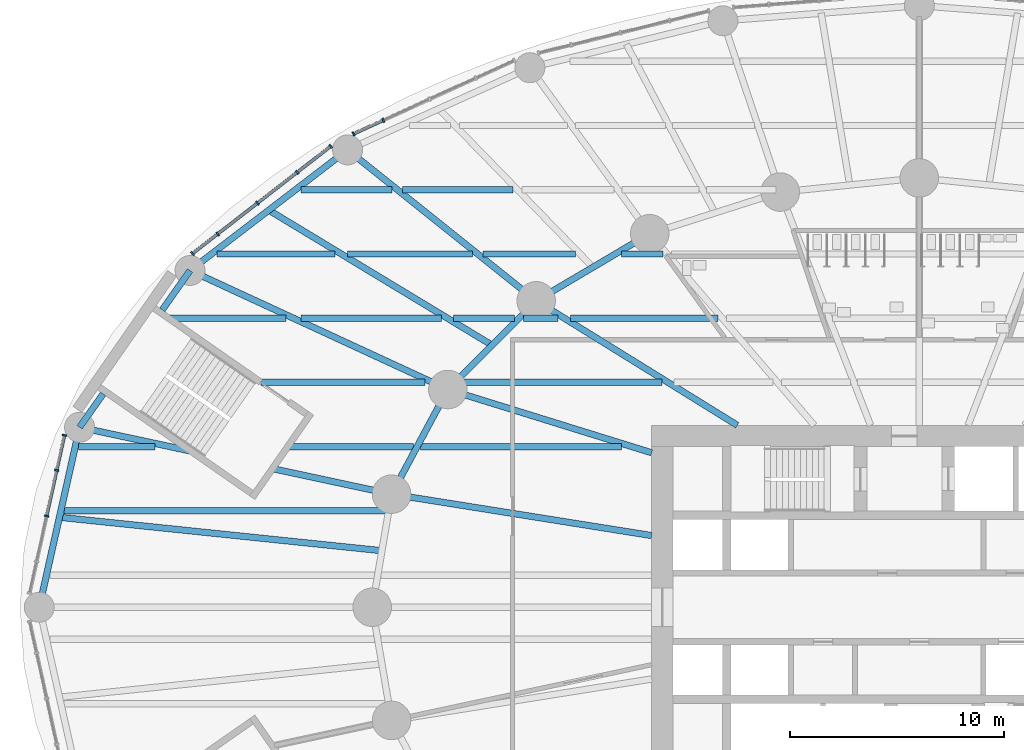
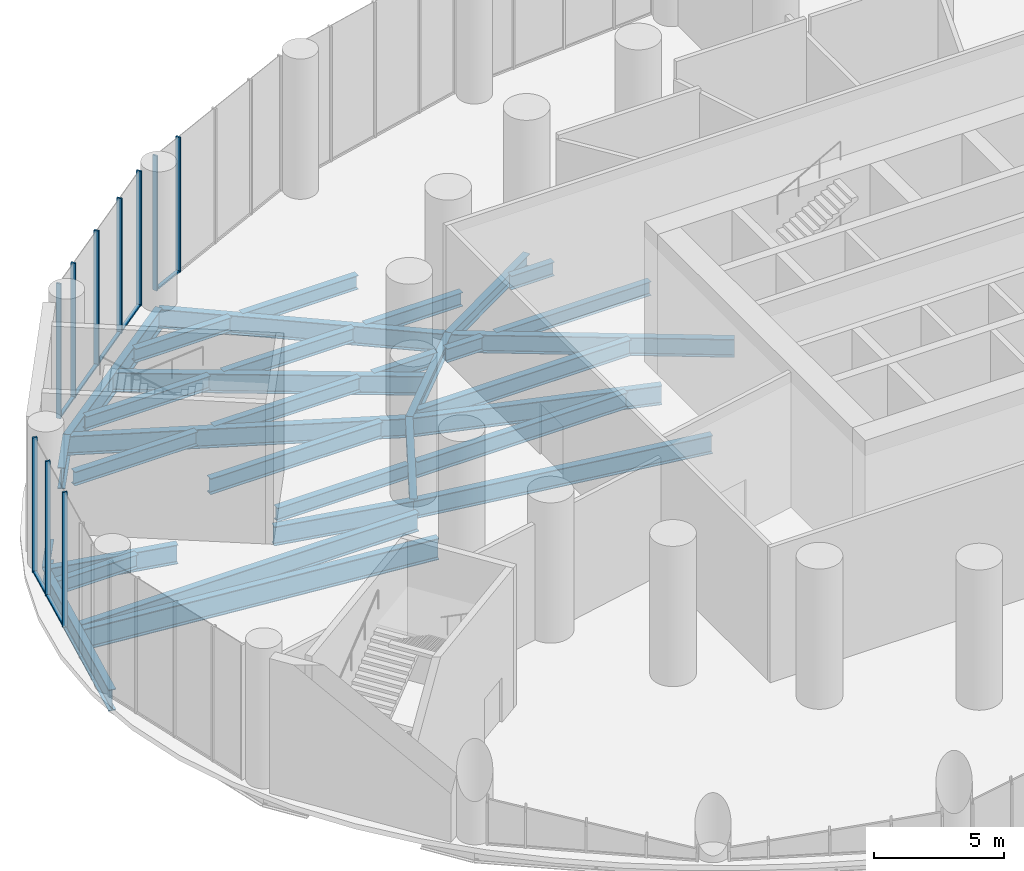
# One storey, part 7 of 22: 33 beams, 17 members, 3 elements without a shape of their own.
"""IFC4 building model written with IfcOpenShell, lengths in metres."""

import ifcopenshell
import ifcopenshell.guid

model = None  # the IFC model being written
_history = None  # IfcOwnerHistory: only IFC2X3 demands one
_inside = {}  # id of a spatial element -> (the spatial element, [elements in it])
_under = {}  # id of a project, library or spatial element -> (it, [spatial elements below it])
_declared = {}  # id of a project -> (the project, [libraries it declares])
_typed = {}  # id of a type object -> (the type object, [elements of that type])
_made_of = {}  # id of a material, layer set ... -> (it, [elements and type objects made of it])


def new_model(schema):
    """Start an empty IFC model of exactly this schema.

    Asked for "IFC4X3", IfcOpenShell would pick the latest addendum, in which some entities
    have other attributes; the version numbers below select the first issue.
    IFC2X3 requires an IfcOwnerHistory on every rooted entity: one is made here for all.
    """
    global model, _history
    if schema == "IFC4X3":
        model = ifcopenshell.file(schema_version=(4, 3, 0, 0))
    else:
        model = ifcopenshell.file(schema=schema)
    _inside.clear()
    _under.clear()
    _declared.clear()
    _typed.clear()
    _made_of.clear()
    _history = None
    if model.schema == "IFC2X3":
        org = make("IfcOrganization", Name="unknown")
        user = make(
            "IfcPersonAndOrganization",
            ThePerson=make("IfcPerson", FamilyName="unknown"),
            TheOrganization=org,
        )
        app = make(
            "IfcApplication",
            ApplicationDeveloper=org,
            Version="unknown",
            ApplicationFullName="unknown",
            ApplicationIdentifier="unknown",
        )
        _history = make(
            "IfcOwnerHistory",
            OwningUser=user,
            OwningApplication=app,
            ChangeAction="ADDED",
            CreationDate=0,
        )
    return model


def make(cls, **values):
    """One entity of the class cls with the attributes given. An attribute that is None is left unset."""
    return model.create_entity(
        cls, **{name: value for name, value in values.items() if value is not None}
    )


def rooted(cls, **values):
    """An entity with a GlobalId (a new one), such as an element, a storey or a relation."""
    return make(cls, GlobalId=ifcopenshell.guid.new(), OwnerHistory=_history, **values)


def si_unit(unit_type, name, prefix=None):
    """IfcSIUnit, for example si_unit("LENGTHUNIT", "METRE", prefix="MILLI")."""
    return make("IfcSIUnit", UnitType=unit_type, Prefix=prefix, Name=name)


def assignment(units):
    """IfcUnitAssignment: the units of a project."""
    return None if units is None else make("IfcUnitAssignment", Units=units)


def point(xyz):
    """IfcCartesianPoint."""
    return None if xyz is None else make("IfcCartesianPoint", Coordinates=xyz)


def direction(xyz):
    """IfcDirection."""
    return None if xyz is None else make("IfcDirection", DirectionRatios=xyz)


def frame(location, z_axis=None, x_axis=None):
    """IfcAxis2Placement3D, a coordinate frame: its origin and axes. An axis left out is left unset."""
    return make(
        "IfcAxis2Placement3D",
        Location=point(location),
        Axis=direction(z_axis),
        RefDirection=direction(x_axis),
    )


def frame_2d(location, x_axis=None):
    """IfcAxis2Placement2D, a coordinate frame in the plane: its origin and x axis."""
    return make(
        "IfcAxis2Placement2D", Location=point(location), RefDirection=direction(x_axis)
    )


def origin():
    """The frame at (0, 0, 0) with its axes left unset."""
    return frame((0.0, 0.0, 0.0))


def origin_2d():
    """The frame at (0, 0) in the plane with its x axis left unset."""
    return frame_2d((0.0, 0.0))


def place(relative_to, where):
    """IfcLocalPlacement: puts the frame where relative to a parent placement (None: the world)."""
    return make(
        "IfcLocalPlacement", PlacementRelTo=relative_to, RelativePlacement=where
    )


def context(
    kind, dimensions, precision=None, world=None, true_north=None, identifier=None
):
    """IfcGeometricRepresentationContext, for example the 3D "Model" context."""
    return make(
        "IfcGeometricRepresentationContext",
        ContextIdentifier=identifier,
        ContextType=kind,
        CoordinateSpaceDimension=dimensions,
        Precision=precision,
        WorldCoordinateSystem=world,
        TrueNorth=true_north,
    )


def subcontext(parent, identifier, kind, view, scale=None):
    """IfcGeometricRepresentationSubContext, for example "Body" below "Model"."""
    return make(
        "IfcGeometricRepresentationSubContext",
        ContextIdentifier=identifier,
        ContextType=kind,
        ParentContext=parent,
        TargetScale=scale,
        TargetView=view,
    )


def project(units=None, contexts=None):
    """IfcProject with its units and contexts."""
    return rooted(
        "IfcProject",
        Name="project",
        RepresentationContexts=contexts,
        UnitsInContext=assignment(units),
    )


def spatial(cls, under=None, at=None, **own):
    """A site, building, storey or space (cls), placed at a placement, below another one or the project."""
    s = rooted(cls, ObjectPlacement=at, **own)
    if under is not None:
        _under.setdefault(under.id(), (under, []))[1].append(s)
    return s


def profile(cls, at=None, kind="AREA", **sizes):
    """A parametric profile (cls). Its sizes go by their IFC names, for example OverallWidth=200.0."""
    return make(cls, ProfileType=kind, Position=at, **sizes)


def rectangle(**sizes):
    """IfcRectangleProfileDef."""
    return profile("IfcRectangleProfileDef", **sizes)


def i_section(**sizes):
    """IfcIShapeProfileDef."""
    return profile("IfcIShapeProfileDef", **sizes)


def extrude(swept, where, along, depth):
    """IfcExtrudedAreaSolid: the profile swept, set in the frame where, extruded along a direction by depth."""
    return make(
        "IfcExtrudedAreaSolid",
        SweptArea=swept,
        Position=where,
        ExtrudedDirection=direction(along),
        Depth=depth,
    )


def shape(context_of_items, identifier, shape_type, items):
    """IfcShapeRepresentation: the items that make up one representation, for example the "Body"."""
    return make(
        "IfcShapeRepresentation",
        ContextOfItems=context_of_items,
        RepresentationIdentifier=identifier,
        RepresentationType=shape_type,
        Items=items,
    )


def material(Name=None, Category=None):
    """IfcMaterial."""
    return make("IfcMaterial", Name=Name, Category=Category)


def material_profile(
    of_material, cross_section, Name=None, Category=None, Priority=None
):
    """IfcMaterialProfile: a cross section and its material."""
    return make(
        "IfcMaterialProfile",
        Name=Name,
        Material=of_material,
        Profile=cross_section,
        Priority=Priority,
        Category=Category,
    )


def profile_set(profiles, Name=None, composite=None):
    """IfcMaterialProfileSet."""
    return make(
        "IfcMaterialProfileSet",
        Name=Name,
        MaterialProfiles=profiles,
        CompositeProfile=composite,
    )


def made_of(thing, what):
    """Note that an element or type object is made of a material, layer set ...; save() writes the relation."""
    if what is not None:
        _made_of.setdefault(what.id(), (what, []))[1].append(thing)
    return thing


def type_object(cls, material=None, **own):
    """A type object (cls), such as IfcWallType, which elements share."""
    return made_of(rooted(cls, **own), material)


def element(
    cls,
    number,
    at=None,
    inside=None,
    cuts=None,
    type_object=None,
    material=None,
    context=None,
    identifier="Body",
    shape_type=None,
    held_by="IfcProductDefinitionShape",
    body=None,
    shapes=None,
    **own,
):
    """One element of the class cls, such as IfcWall. Its Tag is "e" and its number.

    at: its placement. inside: the storey or other place that contains it. cuts: it is an
    opening in that element (IfcRelVoidsElement). A single representation is given by context,
    identifier, shape_type and body (its items); several are given by shapes. held_by: the class
    of the entity that holds the representations. save() writes the other relations.
    """
    e = rooted(cls, Tag="e%d" % number, ObjectPlacement=at, **own)
    if body is not None:
        shapes = [shape(context, identifier, shape_type, body)]
    if shapes is not None:
        e.Representation = make(held_by, Representations=shapes)
    if inside is not None:
        _inside.setdefault(inside.id(), (inside, []))[1].append(e)
    if cuts is not None:
        rooted(
            "IfcRelVoidsElement", RelatingBuildingElement=cuts, RelatedOpeningElement=e
        )
    if type_object is not None:
        _typed.setdefault(type_object.id(), (type_object, []))[1].append(e)
    return made_of(e, material)


def aggregate(whole, parts):
    """IfcRelAggregates: a whole, such as a stair, and the parts it consists of."""
    return rooted("IfcRelAggregates", RelatingObject=whole, RelatedObjects=parts)


def save(model, path):
    """Write the relations noted so far, then the file.

    IfcRelAggregates (storeys below a building ...), IfcRelContainedInSpatialStructure (elements
    in a storey), IfcRelDefinesByType, IfcRelAssociatesMaterial and IfcRelDeclares: one each for
    every whole, place, type object, material and project.
    """
    for whole, parts in _under.values():
        aggregate(whole, parts)
    for where, things in _inside.values():
        rooted(
            "IfcRelContainedInSpatialStructure",
            RelatedElements=things,
            RelatingStructure=where,
        )
    for kind, things in _typed.values():
        rooted("IfcRelDefinesByType", RelatedObjects=things, RelatingType=kind)
    for what, things in _made_of.values():
        rooted("IfcRelAssociatesMaterial", RelatedObjects=things, RelatingMaterial=what)
    for by, libraries in _declared.values():
        rooted("IfcRelDeclares", RelatingContext=by, RelatedDefinitions=libraries)
    model.write(path)


model = new_model("IFC4")

# Units and contexts
model_context = context("Model", 3, precision=1e-05, world=origin(), true_north=direction((0.0, 1.0)))
body_context = subcontext(model_context, "Body", "Model", "MODEL_VIEW")
ifc_project = project(units=[si_unit("LENGTHUNIT", "METRE"), si_unit("AREAUNIT", "SQUARE_METRE"), si_unit("VOLUMEUNIT", "CUBIC_METRE"), si_unit("PLANEANGLEUNIT", "RADIAN"), si_unit("MASSUNIT", "GRAM", prefix="KILO")], contexts=[model_context])

# Site, building, storey
site_placement = place(None, origin())
site = spatial("IfcSite", under=ifc_project, at=site_placement, CompositionType="ELEMENT")
building_placement = place(site_placement, origin())
building = spatial("IfcBuilding", under=site, at=building_placement, Name="Hankou Lantern Tower", CompositionType="ELEMENT")
storey_placement = place(building_placement, frame((0.0, 0.0, 7.199951171875)))
storey = spatial("IfcBuildingStorey", under=building, at=storey_placement, Name="L01", CompositionType="ELEMENT", Elevation=7.199951171875)

# Beams
ifc_material_1 = material(Name="Steel Q355B", Category="steel")
ifc_material_profile_1 = material_profile(ifc_material_1, i_section(OverallWidth=0.300048828125, OverallDepth=0.587890625, WebThickness=0.011962890625, FlangeThickness=0.02001953125, FilletRadius=0.01806640625, at=origin_2d()), Name="HM588x300x12x20")
ifc_profile_set_1 = profile_set([ifc_material_profile_1], Name="Steel Q355B")
beam_type_1 = type_object("IfcBeamType", Name="EB16 RING BEAM HM588x300x12x20", PredefinedType="SPANDREL", material=ifc_profile_set_1)
beam_1_placement = place(storey_placement, frame((-12.5908203125, 17.446533203125, -0.5439453125), z_axis=(-0.860881533543, -0.508805449268, 0.0), x_axis=(0.508805449268, -0.860881533543, 0.0)))
element("IfcBeam", 1, at=beam_1_placement, inside=storey, type_object=beam_type_1, Name="Ring beam R09-R10 L01", PredefinedType="SPANDREL", context=body_context, shape_type="SweptSolid", body=[
    extrude(i_section(OverallWidth=0.300048828125, OverallDepth=0.587890625, WebThickness=0.011962890625, FlangeThickness=0.02001953125, FilletRadius=0.01806640625, at=origin_2d()), origin(), (0.0, 0.0, 1.0), 6.15771484375),
])
beam_2_placement = place(storey_placement, frame((-17.891845703125, 14.3134765625, -0.5439453125), z_axis=(-0.705727798394, -0.708483079949, 0.0), x_axis=(0.708483079949, -0.705727798394, 0.0)))
element("IfcBeam", 2, at=beam_2_placement, inside=storey, type_object=beam_type_1, Name="Ring beam R10-R11 L01", PredefinedType="SPANDREL", context=body_context, shape_type="SweptSolid", body=[
    extrude(i_section(OverallWidth=0.300048828125, OverallDepth=0.587890625, WebThickness=0.011962890625, FlangeThickness=0.02001953125, FilletRadius=0.01806640625, at=origin_2d()), origin(), (0.0, 0.0, 1.0), 5.84814453125),
])
beam_3_placement = place(storey_placement, frame((-22.01904296875, 10.170166015625, -0.5439453125), z_axis=(-0.473609096023, -0.880735161194, 0.0), x_axis=(0.880735161194, -0.473609096023, 0.0)))
element("IfcBeam", 3, at=beam_3_placement, inside=storey, type_object=beam_type_1, Name="Ring beam R11-R12 L01", PredefinedType="SPANDREL", context=body_context, shape_type="SweptSolid", body=[
    extrude(i_section(OverallWidth=0.300048828125, OverallDepth=0.587890625, WebThickness=0.011962890625, FlangeThickness=0.02001953125, FilletRadius=0.01806640625, at=origin_2d()), origin(), (0.0, 0.0, 1.0), 5.548828125),
])

# Curtain wall, members
ifc_material_2 = material(Name="Glass, dark grey tinted laminated", Category="glass")
curtain_wall_type = type_object("IfcCurtainWallType", Name="CWP PODIUM CURTAIN WALL", PredefinedType="USERDEFINED", material=ifc_material_2)
curtain_wall_1_placement = place(storey_placement, origin())
curtain_wall_1 = element("IfcCurtainWall", 4, at=curtain_wall_1_placement, inside=storey, type_object=curtain_wall_type, Name="CWP L01 PC07", ObjectType="PODIUM GLAZING", PredefinedType="USERDEFINED")
ifc_material_3 = material(Name="Aluminium, black anodised", Category="aluminium")
ifc_material_profile_2 = material_profile(ifc_material_3, rectangle(XDim=0.080078125, YDim=0.199951171875, at=origin_2d()), Name="MU2 80X200")
ifc_profile_set_2 = profile_set([ifc_material_profile_2], Name="Aluminium, black anodised")
member_type_1 = type_object("IfcMemberType", Name="MU2 PODIUM MULLION 80X200", PredefinedType="MULLION", material=ifc_profile_set_2)
member_1_placement = place(storey_placement, frame((-25.034423828125, 22.743408203125, 0.0), z_axis=(0.0, 0.0, 1.0), x_axis=(-0.909669790944, -0.41533224224, 0.0)))
member_1 = element("IfcMember", 5, at=member_1_placement, type_object=member_type_1, Name="CWP mullion 4", PredefinedType="MULLION", context=body_context, shape_type="SweptSolid", body=[
    extrude(rectangle(XDim=0.080078125, YDim=0.199951171875, at=origin_2d()), origin(), (0.0, 0.0, 1.0), 6.35009765625),
])
member_2_placement = place(storey_placement, frame((-26.421630859375, 22.10986328125, 0.0), z_axis=(0.0, 0.0, 1.0), x_axis=(-0.909669790944, -0.41533224224, 0.0)))
member_2 = element("IfcMember", 6, at=member_2_placement, type_object=member_type_1, Name="CWP mullion 5", PredefinedType="MULLION", context=body_context, shape_type="SweptSolid", body=[
    extrude(rectangle(XDim=0.080078125, YDim=0.199951171875, at=origin_2d()), origin(), (0.0, 0.0, 1.0), 6.35009765625),
])

curtain_wall_2_placement = place(storey_placement, origin())
curtain_wall_2 = element("IfcCurtainWall", 7, at=curtain_wall_2_placement, inside=storey, type_object=curtain_wall_type, Name="CWP L01 PC08", ObjectType="PODIUM GLAZING", PredefinedType="USERDEFINED")
member_3_placement = place(storey_placement, frame((-27.487060546875, 21.530517578125, 0.0), z_axis=(0.0, 0.0, 1.0), x_axis=(-0.790129760642, -0.612939606608, 0.0)))
member_3 = element("IfcMember", 8, at=member_3_placement, type_object=member_type_1, Name="CWP mullion 1", PredefinedType="MULLION", context=body_context, shape_type="SweptSolid", body=[
    extrude(rectangle(XDim=0.080078125, YDim=0.199951171875, at=origin_2d()), origin(), (0.0, 0.0, 1.0), 6.35009765625),
])
member_4_placement = place(storey_placement, frame((-29.05322265625, 20.315673828125, 0.0), z_axis=(0.0, 0.0, 1.0), x_axis=(-0.790129760642, -0.612939606608, 0.0)))
member_4 = element("IfcMember", 9, at=member_4_placement, type_object=member_type_1, Name="CWP mullion 2", PredefinedType="MULLION", context=body_context, shape_type="SweptSolid", body=[
    extrude(rectangle(XDim=0.080078125, YDim=0.199951171875, at=origin_2d()), origin(), (0.0, 0.0, 1.0), 6.35009765625),
])
member_5_placement = place(storey_placement, frame((-30.91064453125, 18.874755859375, 0.0), z_axis=(0.0, 0.0, 1.0), x_axis=(-0.790129760642, -0.612939606608, 0.0)))
member_5 = element("IfcMember", 10, at=member_5_placement, type_object=member_type_1, Name="CWP mullion 3", PredefinedType="MULLION", context=body_context, shape_type="SweptSolid", body=[
    extrude(rectangle(XDim=0.080078125, YDim=0.199951171875, at=origin_2d()), origin(), (0.0, 0.0, 1.0), 6.35009765625),
])
member_6_placement = place(storey_placement, frame((-32.76806640625, 17.433837890625, 0.0), z_axis=(0.0, 0.0, 1.0), x_axis=(-0.790129760642, -0.612939606608, 0.0)))
member_6 = element("IfcMember", 11, at=member_6_placement, type_object=member_type_1, Name="CWP mullion 4", PredefinedType="MULLION", context=body_context, shape_type="SweptSolid", body=[
    extrude(rectangle(XDim=0.080078125, YDim=0.199951171875, at=origin_2d()), origin(), (0.0, 0.0, 1.0), 6.35009765625),
])
member_7_placement = place(storey_placement, frame((-33.945068359375, 16.520751953125, 0.0), z_axis=(0.0, 0.0, 1.0), x_axis=(-0.790129760642, -0.612939606608, 0.0)))
member_7 = element("IfcMember", 12, at=member_7_placement, type_object=member_type_1, Name="CWP mullion 5", PredefinedType="MULLION", context=body_context, shape_type="SweptSolid", body=[
    extrude(rectangle(XDim=0.080078125, YDim=0.199951171875, at=origin_2d()), origin(), (0.0, 0.0, 1.0), 6.35009765625),
])

curtain_wall_3_placement = place(storey_placement, origin())
curtain_wall_3 = element("IfcCurtainWall", 13, at=curtain_wall_3_placement, inside=storey, type_object=curtain_wall_type, Name="CWP L01 PC09", ObjectType="PODIUM GLAZING", PredefinedType="USERDEFINED")
member_8_placement = place(storey_placement, frame((-39.925537109375, 8.028564453125, 0.0), z_axis=(0.0, 0.0, 1.0), x_axis=(-0.215821488116, -0.976432837049, 0.0)))
member_8 = element("IfcMember", 14, at=member_8_placement, type_object=member_type_1, Name="CWP mullion 1", PredefinedType="MULLION", context=body_context, shape_type="SweptSolid", body=[
    extrude(rectangle(XDim=0.080078125, YDim=0.199951171875, at=origin_2d()), origin(), (0.0, 0.0, 1.0), 6.35009765625),
])
member_9_placement = place(storey_placement, frame((-40.28515625, 6.40087890625, 0.0), z_axis=(0.0, 0.0, 1.0), x_axis=(-0.215821488116, -0.976432837049, 0.0)))
member_9 = element("IfcMember", 15, at=member_9_placement, type_object=member_type_1, Name="CWP mullion 2", PredefinedType="MULLION", context=body_context, shape_type="SweptSolid", body=[
    extrude(rectangle(XDim=0.080078125, YDim=0.199951171875, at=origin_2d()), origin(), (0.0, 0.0, 1.0), 6.35009765625),
])
member_10_placement = place(storey_placement, frame((-40.7568359375, 4.267333984375, 0.0), z_axis=(0.0, 0.0, 1.0), x_axis=(-0.215821488116, -0.976432837049, 0.0)))
member_10 = element("IfcMember", 16, at=member_10_placement, type_object=member_type_1, Name="CWP mullion 3", PredefinedType="MULLION", context=body_context, shape_type="SweptSolid", body=[
    extrude(rectangle(XDim=0.080078125, YDim=0.199951171875, at=origin_2d()), origin(), (0.0, 0.0, 1.0), 6.35009765625),
])

# Beams
ifc_material_4 = material(Name="Steel Q355B", Category="steel")
ifc_material_profile_3 = material_profile(ifc_material_4, i_section(OverallWidth=0.300048828125, OverallDepth=0.89990234375, WebThickness=0.01611328125, FlangeThickness=0.028076171875, FilletRadius=0.01806640625, at=origin_2d()), Name="HN900x300x16x28")
ifc_profile_set_3 = profile_set([ifc_material_profile_3], Name="Steel Q355B")
beam_type_2 = type_object("IfcBeamType", Name="PB13 PODIUM RADIAL BEAM HN900x300x16x28", PredefinedType="BEAM", material=ifc_profile_set_3)
beam_4_placement = place(storey_placement, frame((-17.891845703125, 14.3134765625, -0.699951171875), z_axis=(-0.780875142676, 0.624687130931, 0.0), x_axis=(-0.624687130931, -0.780875142676, 0.0)))
element("IfcBeam", 17, at=beam_4_placement, inside=storey, type_object=beam_type_2, Name="Podium radial beam R10 L01", PredefinedType="BEAM", context=body_context, shape_type="SweptSolid", body=[
    extrude(i_section(OverallWidth=0.300048828125, OverallDepth=0.89990234375, WebThickness=0.01611328125, FlangeThickness=0.028076171875, FilletRadius=0.01806640625, at=origin_2d()), origin(), (0.0, 0.0, 1.0), 11.28271484375),
])
beam_5_placement = place(storey_placement, frame((-22.01904296875, 10.170166015625, -0.699951171875), z_axis=(-0.907840792808, 0.419315030633, 0.0), x_axis=(-0.419315030633, -0.907840792808, 0.0)))
element("IfcBeam", 18, at=beam_5_placement, inside=storey, type_object=beam_type_2, Name="Podium radial beam R11 L01", PredefinedType="BEAM", context=body_context, shape_type="SweptSolid", body=[
    extrude(i_section(OverallWidth=0.300048828125, OverallDepth=0.89990234375, WebThickness=0.01611328125, FlangeThickness=0.028076171875, FilletRadius=0.01806640625, at=origin_2d()), origin(), (0.0, 0.0, 1.0), 13.259765625),
])
beam_6_placement = place(storey_placement, frame((-24.64697265625, 5.283203125, -0.699951171875), z_axis=(-0.977787338777, 0.209599427782, 0.0), x_axis=(-0.209599427782, -0.977787338777, 0.0)))
element("IfcBeam", 19, at=beam_6_placement, inside=storey, type_object=beam_type_2, Name="Podium radial beam R12 L01 inner part", PredefinedType="BEAM", context=body_context, shape_type="SweptSolid", body=[
    extrude(i_section(OverallWidth=0.300048828125, OverallDepth=0.89990234375, WebThickness=0.01611328125, FlangeThickness=0.028076171875, FilletRadius=0.01806640625, at=origin_2d()), origin(), (0.0, 0.0, 1.0), 5.68896484375),
])
beam_7_placement = place(storey_placement, frame((-34.01025390625, 7.29052734375, -0.699951171875), z_axis=(-0.977788323488, 0.209594834028, 0.0), x_axis=(-0.209594834028, -0.977788323488, 0.0)))
element("IfcBeam", 20, at=beam_7_placement, inside=storey, type_object=beam_type_2, Name="Podium radial beam R12 L01 outer part", PredefinedType="BEAM", context=body_context, shape_type="SweptSolid", body=[
    extrude(i_section(OverallWidth=0.300048828125, OverallDepth=0.89990234375, WebThickness=0.01611328125, FlangeThickness=0.028076171875, FilletRadius=0.01806640625, at=origin_2d()), origin(), (0.0, 0.0, 1.0), 5.32568359375),
])
ifc_material_5 = material(Name="Steel Q355B", Category="steel")
ifc_material_profile_4 = material_profile(ifc_material_5, i_section(OverallWidth=0.300048828125, OverallDepth=1.0, WebThickness=0.01904296875, FlangeThickness=0.035888671875, FilletRadius=0.01806640625, at=origin_2d()), Name="HN1000x300x19x36")
ifc_profile_set_4 = profile_set([ifc_material_profile_4], Name="Steel Q355B")
beam_type_3 = type_object("IfcBeamType", Name="PR22 PODIUM RING BEAM HN1000x300x19x36", PredefinedType="BEAM", material=ifc_profile_set_4)
beam_8_placement = place(storey_placement, frame((-26.7021484375, 21.361572265625, -0.75), z_axis=(-0.793985875103, -0.607936205647, 0.0), x_axis=(0.607936205647, -0.793985875103, 0.0)))
element("IfcBeam", 21, at=beam_8_placement, inside=storey, type_object=beam_type_3, Name="Podium ring beam R10-R11 L01", PredefinedType="BEAM", context=body_context, shape_type="SweptSolid", body=[
    extrude(i_section(OverallWidth=0.300048828125, OverallDepth=1.0, WebThickness=0.01904296875, FlangeThickness=0.035888671875, FilletRadius=0.01806640625, at=origin_2d()), origin(), (0.0, 0.0, 1.0), 9.262939453125),
])
beam_9_placement = place(storey_placement, frame((-34.056884765625, 15.730224609375, -0.75), z_axis=(-0.576006222853, -0.817445307794, 0.0), x_axis=(0.817445307794, -0.576006222853, 0.0)))
element("IfcBeam", 22, at=beam_9_placement, inside=storey, type_object=beam_type_3, Name="Podium ring beam R11-R12 L01 west part", PredefinedType="BEAM", context=body_context, shape_type="SweptSolid", body=[
    extrude(i_section(OverallWidth=0.300048828125, OverallDepth=1.0, WebThickness=0.01904296875, FlangeThickness=0.035888671875, FilletRadius=0.01806640625, at=origin_2d()), origin(), (0.0, 0.0, 1.0), 2.251953125),
])
beam_10_placement = place(storey_placement, frame((-38.118896484375, 9.9658203125, -0.75), z_axis=(-0.576019631526, -0.817435859317, 0.0), x_axis=(0.817435859317, -0.576019631526, 0.0)))
element("IfcBeam", 23, at=beam_10_placement, inside=storey, type_object=beam_type_3, Name="Podium ring beam R11-R12 L01 east part", PredefinedType="BEAM", context=body_context, shape_type="SweptSolid", body=[
    extrude(i_section(OverallWidth=0.300048828125, OverallDepth=1.0, WebThickness=0.01904296875, FlangeThickness=0.035888671875, FilletRadius=0.01806640625, at=origin_2d()), origin(), (0.0, 0.0, 1.0), 1.9072265625),
])
beam_11_placement = place(storey_placement, frame((-39.217529296875, 8.40673828125, -0.75), z_axis=(-0.218523498172, -0.975831686689, 0.0), x_axis=(0.975831686689, -0.218523498172, 0.0)))
element("IfcBeam", 24, at=beam_11_placement, inside=storey, type_object=beam_type_3, Name="Podium ring beam R12-R13 L01", PredefinedType="BEAM", context=body_context, shape_type="SweptSolid", body=[
    extrude(i_section(OverallWidth=0.300048828125, OverallDepth=1.0, WebThickness=0.01904296875, FlangeThickness=0.035888671875, FilletRadius=0.01806640625, at=origin_2d()), origin(), (0.0, 0.0, 1.0), 8.614990234375),
])
ifc_material_6 = material(Name="Steel Q355B", Category="steel")
ifc_material_profile_5 = material_profile(ifc_material_6, i_section(OverallWidth=0.300048828125, OverallDepth=0.89990234375, WebThickness=0.01611328125, FlangeThickness=0.028076171875, FilletRadius=0.01806640625, at=origin_2d()), Name="HN900x300x16x28")
ifc_profile_set_5 = profile_set([ifc_material_profile_5], Name="Steel Q355B")
beam_type_4 = type_object("IfcBeamType", Name="PS13 PODIUM SECONDARY BEAM HN900x300x16x28", PredefinedType="JOIST", material=ifc_profile_set_5)
beam_12_placement = place(storey_placement, frame((-19.955322265625, 12.24169921875, -0.699951171875), z_axis=(-0.855685755165, 0.517495785884, 0.0), x_axis=(-0.517495785884, -0.855685755165, 0.0)))
element("IfcBeam", 25, at=beam_12_placement, inside=storey, type_object=beam_type_4, Name="Podium secondary beam bay R10 L01", PredefinedType="JOIST", context=body_context, shape_type="SweptSolid", body=[
    extrude(i_section(OverallWidth=0.300048828125, OverallDepth=0.89990234375, WebThickness=0.01611328125, FlangeThickness=0.028076171875, FilletRadius=0.01806640625, at=origin_2d()), origin(), (0.0, 0.0, 1.0), 12.18212890625),
])
ifc_material_7 = material(Name="Steel Q355B", Category="steel")
ifc_material_profile_6 = material_profile(ifc_material_7, i_section(OverallWidth=0.300048828125, OverallDepth=1.0, WebThickness=0.01904296875, FlangeThickness=0.035888671875, FilletRadius=0.01806640625, at=origin_2d()), Name="HN1000x300x19x36")
ifc_profile_set_6 = profile_set([ifc_material_profile_6], Name="Steel Q355B")
beam_type_5 = type_object("IfcBeamType", Name="PS22 PODIUM SECONDARY BEAM HN1000x300x19x36", PredefinedType="JOIST", material=ifc_profile_set_6)
beam_13_placement = place(storey_placement, frame((-25.098388671875, 2.6416015625, -0.75), z_axis=(-0.994666039581, 0.103147805132, 0.0), x_axis=(-0.103147805132, -0.994666039581, 0.0)))
element("IfcBeam", 26, at=beam_13_placement, inside=storey, type_object=beam_type_5, Name="Podium secondary beam bay R12 L01", PredefinedType="JOIST", context=body_context, shape_type="SweptSolid", body=[
    extrude(i_section(OverallWidth=0.300048828125, OverallDepth=1.0, WebThickness=0.01904296875, FlangeThickness=0.035888671875, FilletRadius=0.01806640625, at=origin_2d()), origin(), (0.0, 0.0, 1.0), 15.14111328125),
])
ifc_material_8 = material(Name="Steel Q355B", Category="steel")
ifc_material_profile_7 = material_profile(ifc_material_8, i_section(OverallWidth=0.300048828125, OverallDepth=0.85009765625, WebThickness=0.01611328125, FlangeThickness=0.027099609375, FilletRadius=0.01806640625, at=origin_2d()), Name="HN850x300x16x27")
ifc_profile_set_7 = profile_set([ifc_material_profile_7], Name="Steel Q355B")
beam_type_6 = type_object("IfcBeamType", Name="RB12 RADIAL BEAM HN850x300x16x27", PredefinedType="BEAM", material=ifc_profile_set_7)
beam_14_placement = place(storey_placement, frame((-8.5, 8.5, -0.675048828125), z_axis=(-0.850286343288, 0.526320372414, 0.0), x_axis=(-0.526320372414, -0.850286343288, 0.0)))
element("IfcBeam", 27, at=beam_14_placement, inside=storey, type_object=beam_type_6, Name="Radial beam R10 L01", PredefinedType="BEAM", context=body_context, shape_type="SweptSolid", body=[
    extrude(i_section(OverallWidth=0.300048828125, OverallDepth=0.85009765625, WebThickness=0.01611328125, FlangeThickness=0.027099609375, FilletRadius=0.01806640625, at=origin_2d()), origin(), (0.0, 0.0, 1.0), 11.04541015625),
])
beam_15_placement = place(storey_placement, frame((-12.5, 3.349365234375, -0.675048828125), z_axis=(-0.987563081343, 0.157223281893, 0.0), x_axis=(-0.157223281893, -0.987563081343, 0.0)))
element("IfcBeam", 28, at=beam_15_placement, inside=storey, type_object=beam_type_6, Name="Radial beam R12 L01", PredefinedType="BEAM", context=body_context, shape_type="SweptSolid", body=[
    extrude(i_section(OverallWidth=0.300048828125, OverallDepth=0.85009765625, WebThickness=0.01611328125, FlangeThickness=0.027099609375, FilletRadius=0.01806640625, at=origin_2d()), origin(), (0.0, 0.0, 1.0), 12.300048828125),
])
ifc_material_9 = material(Name="Steel Q355B", Category="steel")
ifc_material_profile_8 = material_profile(ifc_material_9, i_section(OverallWidth=0.300048828125, OverallDepth=0.89990234375, WebThickness=0.01611328125, FlangeThickness=0.028076171875, FilletRadius=0.01806640625, at=origin_2d()), Name="HN900x300x16x28")
ifc_profile_set_8 = profile_set([ifc_material_profile_8], Name="Steel Q355B")
beam_type_7 = type_object("IfcBeamType", Name="RB13 RADIAL BEAM HN900x300x16x28", PredefinedType="BEAM", material=ifc_profile_set_8)
beam_16_placement = place(storey_placement, frame((-12.5, 7.216796875, -0.699951171875), z_axis=(-0.955087327755, 0.29632447817, 0.0), x_axis=(-0.29632447817, -0.955087327755, 0.0)))
element("IfcBeam", 29, at=beam_16_placement, inside=storey, type_object=beam_type_7, Name="Radial beam R11 L01", PredefinedType="BEAM", context=body_context, shape_type="SweptSolid", body=[
    extrude(i_section(OverallWidth=0.300048828125, OverallDepth=0.89990234375, WebThickness=0.01611328125, FlangeThickness=0.028076171875, FilletRadius=0.01806640625, at=origin_2d()), origin(), (0.0, 0.0, 1.0), 9.966552734375),
])
ifc_material_10 = material(Name="Steel Q355B", Category="steel")
ifc_material_profile_9 = material_profile(ifc_material_10, i_section(OverallWidth=0.300048828125, OverallDepth=0.75, WebThickness=0.012939453125, FlangeThickness=0.02392578125, FilletRadius=0.01806640625, at=origin_2d()), Name="HN750x300x13x24")
ifc_profile_set_9 = profile_set([ifc_material_profile_9], Name="Steel Q355B")
beam_type_8 = type_object("IfcBeamType", Name="SB10 SECONDARY BEAM HN750x300x13x24", PredefinedType="JOIST", material=ifc_profile_set_9)
beam_17_placement = place(storey_placement, frame((-23.28466796875, 7.5, -0.625), z_axis=(1.0, 0.0, 0.0), x_axis=(0.0, 1.0, 0.0)))
element("IfcBeam", 30, at=beam_17_placement, inside=storey, type_object=beam_type_8, Name="Floor joist J097 L01", PredefinedType="JOIST", context=body_context, shape_type="SweptSolid", body=[
    extrude(i_section(OverallWidth=0.300048828125, OverallDepth=0.75, WebThickness=0.012939453125, FlangeThickness=0.02392578125, FilletRadius=0.01806640625, at=origin_2d()), origin(), (0.0, 0.0, 1.0), 9.365966796875),
])
beam_18_placement = place(storey_placement, frame((-30.743896484375, 10.5, -0.625), z_axis=(1.0, 0.0, 0.0), x_axis=(0.0, 1.0, 0.0)))
element("IfcBeam", 31, at=beam_18_placement, inside=storey, type_object=beam_type_8, Name="Floor joist J101 L01", PredefinedType="JOIST", context=body_context, shape_type="SweptSolid", body=[
    extrude(i_section(OverallWidth=0.300048828125, OverallDepth=0.75, WebThickness=0.012939453125, FlangeThickness=0.02392578125, FilletRadius=0.01806640625, at=origin_2d()), origin(), (0.0, 0.0, 1.0), 7.653076171875),
])
beam_19_placement = place(storey_placement, frame((-21.478759765625, 10.5, -0.625), z_axis=(1.0, 0.0, 0.0), x_axis=(0.0, 1.0, 0.0)))
element("IfcBeam", 32, at=beam_19_placement, inside=storey, type_object=beam_type_8, Name="Floor joist J102 L01", PredefinedType="JOIST", context=body_context, shape_type="SweptSolid", body=[
    extrude(i_section(OverallWidth=0.300048828125, OverallDepth=0.75, WebThickness=0.012939453125, FlangeThickness=0.02392578125, FilletRadius=0.01806640625, at=origin_2d()), origin(), (0.0, 0.0, 1.0), 9.462646484375),
])
ifc_material_11 = material(Name="Steel Q355B", Category="steel")
ifc_material_profile_10 = material_profile(ifc_material_11, i_section(OverallWidth=0.300048828125, OverallDepth=0.85009765625, WebThickness=0.01611328125, FlangeThickness=0.027099609375, FilletRadius=0.01806640625, at=origin_2d()), Name="HN850x300x16x27")
ifc_profile_set_10 = profile_set([ifc_material_profile_10], Name="Steel Q355B")
beam_type_9 = type_object("IfcBeamType", Name="SB12 SECONDARY BEAM HN850x300x16x27", PredefinedType="JOIST", material=ifc_profile_set_10)
beam_20_placement = place(storey_placement, frame((-39.938720703125, 4.5, -0.675048828125), z_axis=(1.0, 0.0, 0.0), x_axis=(0.0, 1.0, 0.0)))
element("IfcBeam", 33, at=beam_20_placement, inside=storey, type_object=beam_type_9, Name="Floor joist J089 L01", PredefinedType="JOIST", context=body_context, shape_type="SweptSolid", body=[
    extrude(i_section(OverallWidth=0.300048828125, OverallDepth=0.85009765625, WebThickness=0.01611328125, FlangeThickness=0.027099609375, FilletRadius=0.01806640625, at=origin_2d()), origin(), (0.0, 0.0, 1.0), 15.005615234375),
])
ifc_material_12 = material(Name="Steel Q355B", Category="steel")
ifc_material_profile_11 = material_profile(ifc_material_12, i_section(OverallWidth=0.300048828125, OverallDepth=0.64990234375, WebThickness=0.010986328125, FlangeThickness=0.01708984375, FilletRadius=0.01806640625, at=origin_2d()), Name="HN650x300x11x17")
ifc_profile_set_11 = profile_set([ifc_material_profile_11], Name="Steel Q355B")
beam_type_10 = type_object("IfcBeamType", Name="SB8 SECONDARY BEAM HN650x300x11x17", PredefinedType="JOIST", material=ifc_profile_set_11)
beam_21_placement = place(storey_placement, frame((-39.266845703125, 7.5, -0.574951171875), z_axis=(1.0, 0.0, 0.0), x_axis=(0.0, 1.0, 0.0)))
element("IfcBeam", 34, at=beam_21_placement, inside=storey, type_object=beam_type_10, Name="Floor joist J095 L01", PredefinedType="JOIST", context=body_context, shape_type="SweptSolid", body=[
    extrude(i_section(OverallWidth=0.300048828125, OverallDepth=0.64990234375, WebThickness=0.010986328125, FlangeThickness=0.01708984375, FilletRadius=0.01806640625, at=origin_2d()), origin(), (0.0, 0.0, 1.0), 3.563232421875),
])
beam_22_placement = place(storey_placement, frame((-29.496826171875, 7.5, -0.574951171875), z_axis=(1.0, 0.0, 0.0), x_axis=(0.0, 1.0, 0.0)))
element("IfcBeam", 35, at=beam_22_placement, inside=storey, type_object=beam_type_10, Name="Floor joist J096 L01", PredefinedType="JOIST", context=body_context, shape_type="SweptSolid", body=[
    extrude(i_section(OverallWidth=0.300048828125, OverallDepth=0.64990234375, WebThickness=0.010986328125, FlangeThickness=0.01708984375, FilletRadius=0.01806640625, at=origin_2d()), origin(), (0.0, 0.0, 1.0), 5.87158203125),
])
beam_23_placement = place(storey_placement, frame((-35.056884765625, 13.5, -0.574951171875), z_axis=(1.0, 0.0, 0.0), x_axis=(0.0, 1.0, 0.0)))
element("IfcBeam", 36, at=beam_23_placement, inside=storey, type_object=beam_type_10, Name="Floor joist J111 L01", PredefinedType="JOIST", context=body_context, shape_type="SweptSolid", body=[
    extrude(i_section(OverallWidth=0.300048828125, OverallDepth=0.64990234375, WebThickness=0.010986328125, FlangeThickness=0.01708984375, FilletRadius=0.01806640625, at=origin_2d()), origin(), (0.0, 0.0, 1.0), 5.470703125),
])
beam_24_placement = place(storey_placement, frame((-28.87060546875, 13.5, -0.574951171875), z_axis=(1.0, 0.0, 0.0), x_axis=(0.0, 1.0, 0.0)))
element("IfcBeam", 37, at=beam_24_placement, inside=storey, type_object=beam_type_10, Name="Floor joist J112 L01", PredefinedType="JOIST", context=body_context, shape_type="SweptSolid", body=[
    extrude(i_section(OverallWidth=0.300048828125, OverallDepth=0.64990234375, WebThickness=0.010986328125, FlangeThickness=0.01708984375, FilletRadius=0.01806640625, at=origin_2d()), origin(), (0.0, 0.0, 1.0), 6.544921875),
])
beam_25_placement = place(storey_placement, frame((-21.74609375, 13.5, -0.574951171875), z_axis=(1.0, 0.0, 0.0), x_axis=(0.0, 1.0, 0.0)))
element("IfcBeam", 38, at=beam_25_placement, inside=storey, type_object=beam_type_10, Name="Floor joist J113 L01", PredefinedType="JOIST", context=body_context, shape_type="SweptSolid", body=[
    extrude(i_section(OverallWidth=0.300048828125, OverallDepth=0.64990234375, WebThickness=0.010986328125, FlangeThickness=0.01708984375, FilletRadius=0.01806640625, at=origin_2d()), origin(), (0.0, 0.0, 1.0), 2.832275390625),
])
beam_26_placement = place(storey_placement, frame((-18.490234375, 13.5, -0.574951171875), z_axis=(1.0, 0.0, 0.0), x_axis=(0.0, 1.0, 0.0)))
element("IfcBeam", 39, at=beam_26_placement, inside=storey, type_object=beam_type_10, Name="Floor joist J114 L01", PredefinedType="JOIST", context=body_context, shape_type="SweptSolid", body=[
    extrude(i_section(OverallWidth=0.300048828125, OverallDepth=0.64990234375, WebThickness=0.010986328125, FlangeThickness=0.01708984375, FilletRadius=0.01806640625, at=origin_2d()), origin(), (0.0, 0.0, 1.0), 1.62744140625),
])
beam_27_placement = place(storey_placement, frame((-16.292724609375, 13.5, -0.574951171875), z_axis=(1.0, 0.0, 0.0), x_axis=(0.0, 1.0, 0.0)))
element("IfcBeam", 40, at=beam_27_placement, inside=storey, type_object=beam_type_10, Name="Floor joist J115 L01", PredefinedType="JOIST", context=body_context, shape_type="SweptSolid", body=[
    extrude(i_section(OverallWidth=0.300048828125, OverallDepth=0.64990234375, WebThickness=0.010986328125, FlangeThickness=0.01708984375, FilletRadius=0.01806640625, at=origin_2d()), origin(), (0.0, 0.0, 1.0), 6.893310546875),
])
beam_28_placement = place(storey_placement, frame((-32.8046875, 16.5, -0.574951171875), z_axis=(1.0, 0.0, 0.0), x_axis=(0.0, 1.0, 0.0)))
element("IfcBeam", 41, at=beam_28_placement, inside=storey, type_object=beam_type_10, Name="Floor joist J125 L01", PredefinedType="JOIST", context=body_context, shape_type="SweptSolid", body=[
    extrude(i_section(OverallWidth=0.300048828125, OverallDepth=0.64990234375, WebThickness=0.010986328125, FlangeThickness=0.01708984375, FilletRadius=0.01806640625, at=origin_2d()), origin(), (0.0, 0.0, 1.0), 5.518310546875),
])
beam_29_placement = place(storey_placement, frame((-26.70654296875, 16.5, -0.574951171875), z_axis=(1.0, 0.0, 0.0), x_axis=(0.0, 1.0, 0.0)))
element("IfcBeam", 42, at=beam_29_placement, inside=storey, type_object=beam_type_10, Name="Floor joist J126 L01", PredefinedType="JOIST", context=body_context, shape_type="SweptSolid", body=[
    extrude(i_section(OverallWidth=0.300048828125, OverallDepth=0.64990234375, WebThickness=0.010986328125, FlangeThickness=0.01708984375, FilletRadius=0.01806640625, at=origin_2d()), origin(), (0.0, 0.0, 1.0), 5.84130859375),
])
beam_30_placement = place(storey_placement, frame((-20.384765625, 16.5, -0.574951171875), z_axis=(1.0, 0.0, 0.0), x_axis=(0.0, 1.0, 0.0)))
element("IfcBeam", 43, at=beam_30_placement, inside=storey, type_object=beam_type_10, Name="Floor joist J127 L01", PredefinedType="JOIST", context=body_context, shape_type="SweptSolid", body=[
    extrude(i_section(OverallWidth=0.300048828125, OverallDepth=0.64990234375, WebThickness=0.010986328125, FlangeThickness=0.01708984375, FilletRadius=0.01806640625, at=origin_2d()), origin(), (0.0, 0.0, 1.0), 4.33056640625),
])
beam_31_placement = place(storey_placement, frame((-13.8974609375, 16.5, -0.574951171875), z_axis=(1.0, 0.0, 0.0), x_axis=(0.0, 1.0, 0.0)))
element("IfcBeam", 44, at=beam_31_placement, inside=storey, type_object=beam_type_10, Name="Floor joist J128 L01", PredefinedType="JOIST", context=body_context, shape_type="SweptSolid", body=[
    extrude(i_section(OverallWidth=0.300048828125, OverallDepth=0.64990234375, WebThickness=0.010986328125, FlangeThickness=0.01708984375, FilletRadius=0.01806640625, at=origin_2d()), origin(), (0.0, 0.0, 1.0), 1.921630859375),
])
beam_32_placement = place(storey_placement, frame((-28.88671875, 19.5, -0.574951171875), z_axis=(1.0, 0.0, 0.0), x_axis=(0.0, 1.0, 0.0)))
element("IfcBeam", 45, at=beam_32_placement, inside=storey, type_object=beam_type_10, Name="Floor joist J137 L01", PredefinedType="JOIST", context=body_context, shape_type="SweptSolid", body=[
    extrude(i_section(OverallWidth=0.300048828125, OverallDepth=0.64990234375, WebThickness=0.010986328125, FlangeThickness=0.01708984375, FilletRadius=0.01806640625, at=origin_2d()), origin(), (0.0, 0.0, 1.0), 4.271484375),
])
beam_33_placement = place(storey_placement, frame((-24.134765625, 19.5, -0.574951171875), z_axis=(1.0, 0.0, 0.0), x_axis=(0.0, 1.0, 0.0)))
element("IfcBeam", 46, at=beam_33_placement, inside=storey, type_object=beam_type_10, Name="Floor joist J138 L01", PredefinedType="JOIST", context=body_context, shape_type="SweptSolid", body=[
    extrude(i_section(OverallWidth=0.300048828125, OverallDepth=0.64990234375, WebThickness=0.010986328125, FlangeThickness=0.01708984375, FilletRadius=0.01806640625, at=origin_2d()), origin(), (0.0, 0.0, 1.0), 5.160888671875),
])

# Member
ifc_material_13 = material(Name="Aluminium, black anodised", Category="aluminium")
ifc_material_profile_12 = material_profile(ifc_material_13, rectangle(XDim=0.14990234375, YDim=0.080078125, at=origin_2d()), Name="TR2 150X80")
ifc_profile_set_12 = profile_set([ifc_material_profile_12], Name="Aluminium, black anodised")
member_type_2 = type_object("IfcMemberType", Name="TR2 PODIUM TRANSOM 150X80", PredefinedType="USERDEFINED", material=ifc_profile_set_12)
member_11_placement = place(storey_placement, frame((-25.07080078125, 22.726806640625, 0.0400390625), z_axis=(-0.909682453266, -0.415304507825, 0.0), x_axis=(0.415304507825, -0.909682453266, 0.0)))
member_11 = element("IfcMember", 47, at=member_11_placement, type_object=member_type_2, Name="CWP transom 4", ObjectType="TRANSOM", PredefinedType="USERDEFINED", context=body_context, shape_type="SweptSolid", body=[
    extrude(rectangle(XDim=0.14990234375, YDim=0.080078125, at=origin_2d()), origin(), (0.0, 0.0, 1.0), 1.445068359375),
])

aggregate(curtain_wall_1, [member_1, member_2, member_11])

member_12_placement = place(storey_placement, frame((-27.5185546875, 21.506103515625, 0.0400390625), z_axis=(-0.790098015443, -0.612980526601, 0.0), x_axis=(0.612980526601, -0.790098015443, 0.0)))
member_12 = element("IfcMember", 48, at=member_12_placement, type_object=member_type_2, Name="CWP transom 1", ObjectType="TRANSOM", PredefinedType="USERDEFINED", context=body_context, shape_type="SweptSolid", body=[
    extrude(rectangle(XDim=0.14990234375, YDim=0.080078125, at=origin_2d()), origin(), (0.0, 0.0, 1.0), 1.902099609375),
])

member_13_placement = place(storey_placement, frame((-29.084716796875, 20.291015625, 0.0400390625), z_axis=(-0.79016773701, -0.612890648802, 0.0), x_axis=(0.612890648802, -0.79016773701, 0.0)))
member_13 = element("IfcMember", 49, at=member_13_placement, type_object=member_type_2, Name="CWP transom 2", ObjectType="TRANSOM", PredefinedType="USERDEFINED", context=body_context, shape_type="SweptSolid", body=[
    extrude(rectangle(XDim=0.14990234375, YDim=0.080078125, at=origin_2d()), origin(), (0.0, 0.0, 1.0), 2.27099609375),
])

member_14_placement = place(storey_placement, frame((-30.942138671875, 18.85009765625, 0.0400390625), z_axis=(-0.79016773701, -0.612890648802, 0.0), x_axis=(0.612890648802, -0.79016773701, 0.0)))
member_14 = element("IfcMember", 50, at=member_14_placement, type_object=member_type_2, Name="CWP transom 3", ObjectType="TRANSOM", PredefinedType="USERDEFINED", context=body_context, shape_type="SweptSolid", body=[
    extrude(rectangle(XDim=0.14990234375, YDim=0.080078125, at=origin_2d()), origin(), (0.0, 0.0, 1.0), 2.27099609375),
])

member_15_placement = place(storey_placement, frame((-32.7998046875, 17.4091796875, 0.0400390625), z_axis=(-0.790144462034, -0.612920654829, 0.0), x_axis=(0.612920654829, -0.790144462034, 0.0)))
member_15 = element("IfcMember", 51, at=member_15_placement, type_object=member_type_2, Name="CWP transom 4", ObjectType="TRANSOM", PredefinedType="USERDEFINED", context=body_context, shape_type="SweptSolid", body=[
    extrude(rectangle(XDim=0.14990234375, YDim=0.080078125, at=origin_2d()), origin(), (0.0, 0.0, 1.0), 1.4091796875),
])

aggregate(curtain_wall_2, [member_3, member_4, member_5, member_6, member_7, member_12, member_13, member_14, member_15])

member_16_placement = place(storey_placement, frame((-39.93408203125, 7.989501953125, 0.0400390625), z_axis=(-0.215838955929, -0.976428975965, 0.0), x_axis=(0.976428975965, -0.215838955929, 0.0)))
member_16 = element("IfcMember", 52, at=member_16_placement, type_object=member_type_2, Name="CWP transom 1", ObjectType="TRANSOM", PredefinedType="USERDEFINED", context=body_context, shape_type="SweptSolid", body=[
    extrude(rectangle(XDim=0.14990234375, YDim=0.080078125, at=origin_2d()), origin(), (0.0, 0.0, 1.0), 1.5869140625),
])

member_17_placement = place(storey_placement, frame((-40.2939453125, 6.36181640625, 0.0400390625), z_axis=(-0.215812948044, -0.976434724627, 0.0), x_axis=(0.976434724627, -0.215812948044, 0.0)))
member_17 = element("IfcMember", 53, at=member_17_placement, type_object=member_type_2, Name="CWP transom 2", ObjectType="TRANSOM", PredefinedType="USERDEFINED", context=body_context, shape_type="SweptSolid", body=[
    extrude(rectangle(XDim=0.14990234375, YDim=0.080078125, at=origin_2d()), origin(), (0.0, 0.0, 1.0), 2.105224609375),
])

aggregate(curtain_wall_3, [member_8, member_9, member_10, member_16, member_17])

save(model, "model.ifc")
